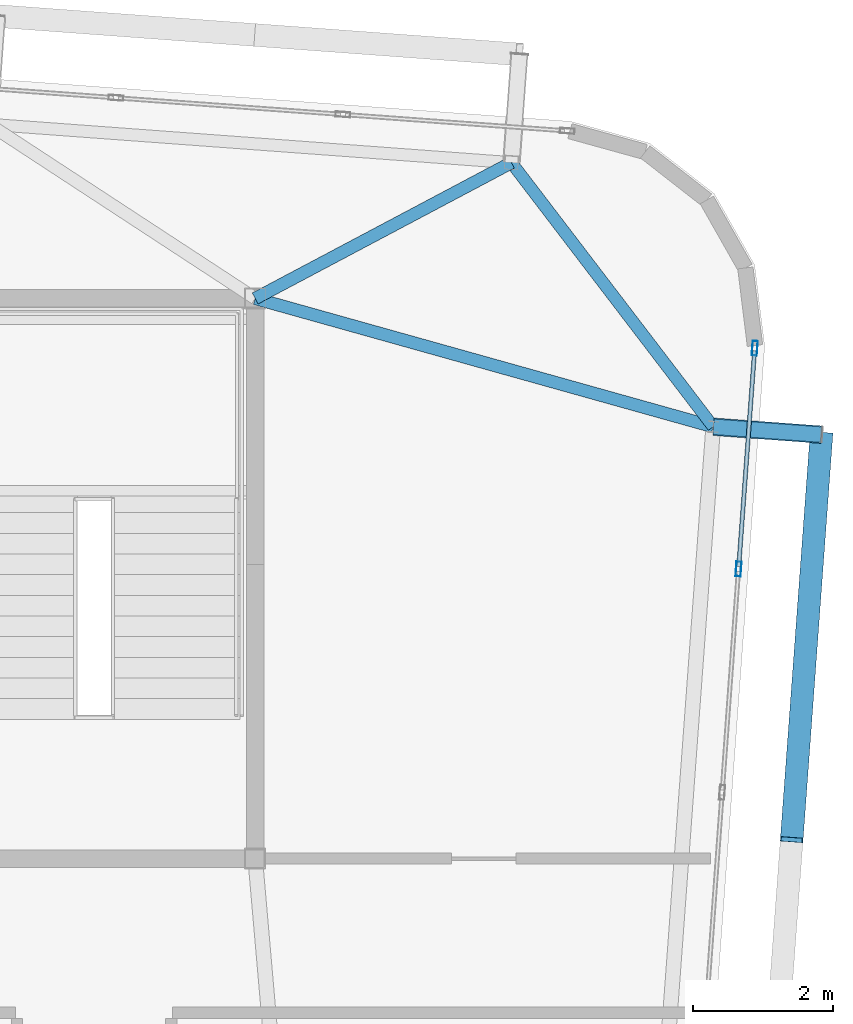
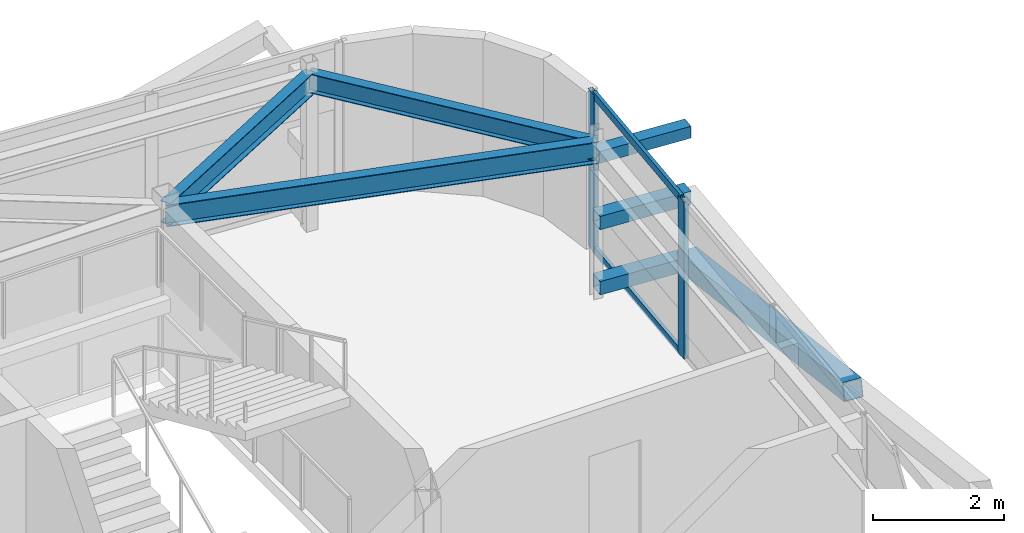
# One storey, part 25 of 42: 8 members, 3 beams, 1 element without a shape of its own.
"""IFC4 building model written with IfcOpenShell, lengths in metres."""

from ifc_helpers import new_model, si_unit, direction, frame, origin, origin_2d, place, context, subcontext, project, spatial, hollow_rectangle, i_section, extrude, source, transform, mapped, material, layer, layer_set, material_profile, profile_set, type_object, element, aggregate, save


model = new_model("IFC4")

# Units and contexts
model_context = context("Model", 3, precision=1e-05, world=origin(), true_north=direction((0.0, 1.0)))
body_context = subcontext(model_context, "Body", "Model", "MODEL_VIEW")
ifc_project = project(units=[si_unit("LENGTHUNIT", "METRE"), si_unit("AREAUNIT", "SQUARE_METRE"), si_unit("VOLUMEUNIT", "CUBIC_METRE"), si_unit("PLANEANGLEUNIT", "RADIAN"), si_unit("MASSUNIT", "GRAM", prefix="KILO")], contexts=[model_context])

# Site, building, storey
site_placement = place(None, origin())
site = spatial("IfcSite", under=ifc_project, at=site_placement, CompositionType="ELEMENT")
building_placement = place(site_placement, origin())
building = spatial("IfcBuilding", under=site, at=building_placement, Name="Taldren Reach Tower", CompositionType="ELEMENT")
storey_placement = place(building_placement, frame((0.0, 0.0, 224.0)))
storey = spatial("IfcBuildingStorey", under=building, at=storey_placement, Name="L68", CompositionType="ELEMENT", Elevation=224.0)

# Beams
ifc_material_1 = material(Name="Steel Gr 350 (350PLUS)", Category="steel")
ifc_material_profile_1 = material_profile(ifc_material_1, i_section(OverallWidth=0.172119140625, OverallDepth=0.35888671875, WebThickness=0.008056640625, FlangeThickness=0.012939453125, at=origin_2d()), Name="360UB56.7")
ifc_profile_set_1 = profile_set([ifc_material_profile_1], Name="Steel Gr 350 (350PLUS)")
beam_type_1 = type_object("IfcBeamType", Name="SP-UB360", PredefinedType="SPANDREL", material=ifc_profile_set_1)
shared_shape_1 = source(origin(), body_context, "Body", "SweptSolid", [
    extrude(i_section(OverallWidth=0.172119140625, OverallDepth=0.35888671875, WebThickness=0.008056640625, FlangeThickness=0.012939453125, at=origin_2d()), origin(), (0.0, 0.0, 1.0), 4.745849609375),
])
beam_1_placement = place(storey_placement, frame((57.540771484375, 30.168701171875, 2.75048828125), z_axis=(-0.607136906115, 0.79459724215, 0.0), x_axis=(-0.79459724215, -0.607136906115, 0.0)))
element("IfcBeam", 1, at=beam_1_placement, inside=storey, type_object=beam_type_1, Name="Perimeter spandrel B5 E3-N6 L68", PredefinedType="SPANDREL", context=body_context, shape_type="MappedRepresentation", body=[
    mapped(shared_shape_1, transform((0.0, 0.0, 0.0), scale=1.0)),
])
ifc_material_profile_2 = material_profile(ifc_material_1, i_section(OverallWidth=0.177978515625, OverallDepth=0.406005859375, WebThickness=0.0078125, FlangeThickness=0.0126953125, at=origin_2d()), Name="410UB59.7")
ifc_profile_set_2 = profile_set([ifc_material_profile_2], Name="Steel Gr 350 (350PLUS)")
beam_type_2 = type_object("IfcBeamType", Name="BM-UB410", PredefinedType="BEAM", material=ifc_profile_set_2)
shared_shape_2 = source(origin(), body_context, "Body", "SweptSolid", [
    extrude(i_section(OverallWidth=0.177978515625, OverallDepth=0.406005859375, WebThickness=0.0078125, FlangeThickness=0.0126953125, at=origin_2d()), origin(), (0.0, 0.0, 1.0), 6.792236328125),
])
beam_2_placement = place(storey_placement, frame((51.0, 32.0, 2.72705078125), z_axis=(0.962968499215, -0.269613926789, 0.0), x_axis=(0.269613926789, 0.962968499215, 0.0)))
element("IfcBeam", 2, at=beam_2_placement, inside=storey, type_object=beam_type_2, Name="Primary floor girder B5-E3 L68", PredefinedType="BEAM", context=body_context, shape_type="MappedRepresentation", body=[
    mapped(shared_shape_2, transform((0.0, 0.0, 0.0), scale=1.0)),
])
shared_shape_3 = source(origin(), body_context, "Body", "SweptSolid", [
    extrude(i_section(OverallWidth=0.177978515625, OverallDepth=0.406005859375, WebThickness=0.0078125, FlangeThickness=0.0126953125, at=origin_2d()), origin(), (0.0, 0.0, 1.0), 4.1416015625),
])
beam_3_placement = place(storey_placement, frame((51.0, 32.0, 2.72705078125), z_axis=(0.883552655042, 0.468331832965, 0.0), x_axis=(-0.468331832965, 0.883552655042, 0.0)))
element("IfcBeam", 3, at=beam_3_placement, inside=storey, type_object=beam_type_2, Name="Primary floor girder B5-N6 L68", PredefinedType="BEAM", context=body_context, shape_type="MappedRepresentation", body=[
    mapped(shared_shape_3, transform((0.0, 0.0, 0.0), scale=1.0)),
])

# Members
ifc_material_2 = material(Name="Steel Gr 450 (C450L0)", Category="steel")
ifc_material_profile_3 = material_profile(ifc_material_2, hollow_rectangle(XDim=0.219970703125, YDim=0.219970703125, WallThickness=0.00830078125, at=origin_2d()), Name="220x220x8.2SHS")
ifc_profile_set_3 = profile_set([ifc_material_profile_3], Name="Steel Gr 450 (C450L0)")
member_type_1 = type_object("IfcMemberType", Name="MB-TIE219", PredefinedType="STRUT", material=ifc_profile_set_3)
shared_shape_4 = source(origin(), body_context, "Body", "SweptSolid", [
    extrude(hollow_rectangle(XDim=0.219970703125, YDim=0.219970703125, WallThickness=0.00830078125, at=origin_2d()), origin(), (0.0, 0.0, 1.0), 1.5458984375),
])
member_1_placement = place(storey_placement, frame((57.544921875, 30.168212890625, 2.64990234375), z_axis=(0.99732305975, -0.073121231459, 0.0), x_axis=(0.073121231459, 0.99732305975, 0.0)))
element("IfcMember", 4, at=member_1_placement, inside=storey, type_object=member_type_1, Name="Exoskeleton diaphragm tie strut B5-E3 L68", PredefinedType="STRUT", context=body_context, shape_type="MappedRepresentation", body=[
    mapped(shared_shape_4, transform((0.0, 0.0, 0.0), scale=1.0)),
])
ifc_material_profile_4 = material_profile(ifc_material_2, hollow_rectangle(XDim=0.324951171875, YDim=0.324951171875, WallThickness=0.0126953125, at=origin_2d()), Name="325x325x12.7SHS")
ifc_profile_set_4 = profile_set([ifc_material_profile_4], Name="Steel Gr 450 (C450L0)")
member_type_2 = type_object("IfcMemberType", Name="MB-BR324", PredefinedType="BRACE", material=ifc_profile_set_4)
shared_shape_5 = source(origin(), body_context, "Body", "SweptSolid", [
    extrude(hollow_rectangle(XDim=0.324951171875, YDim=0.324951171875, WallThickness=0.0126953125, at=origin_2d()), origin(), (0.0, 0.0, 1.0), 5.926025390625),
])
member_2_placement = place(storey_placement, frame((59.086669921875, 30.05517578125, 0.219970703125), z_axis=(-0.071685935393, -0.976123486939, 0.205046494513), x_axis=(0.997314185625, -0.073242167855, 0.0)))
element("IfcMember", 5, at=member_2_placement, inside=storey, type_object=member_type_2, Name="Exoskeleton Diagrid Brace B5-E2 L68", PredefinedType="BRACE", context=body_context, shape_type="MappedRepresentation", body=[
    mapped(shared_shape_5, transform((0.0, 0.0, 0.0), scale=1.0)),
])
ifc_material_3 = material(Name="Steel Gr 350 (C350L0)", Category="steel")
ifc_material_profile_5 = material_profile(ifc_material_3, hollow_rectangle(XDim=0.25, YDim=0.25, WallThickness=0.010009765625, at=origin_2d()), Name="250x250x10.0SHS")
ifc_profile_set_5 = profile_set([ifc_material_profile_5], Name="Steel Gr 350 (C350L0)")
member_type_3 = type_object("IfcMemberType", Name="MB-POST250", PredefinedType="POST", material=ifc_profile_set_5)
shared_shape_6 = source(origin(), body_context, "Body", "SweptSolid", [
    extrude(hollow_rectangle(XDim=0.25, YDim=0.25, WallThickness=0.010009765625, at=origin_2d()), origin(), (0.0, 0.0, 1.0), 1.5458984375),
])
for number, where, z_axis, x_axis, name in (
    (6, (57.544921875, 30.168212890625, 0.219970703125), (0.99732305975, -0.073121231459, 0.0), (0.073121231459, 0.99732305975, 0.0), "Exoskeleton base diaphragm tie strut B5-E3 L68"),
    (7, (57.544921875, 30.168212890625, 1.43505859375), (0.99732305975, -0.073121231459, 0.0), (0.073121231459, 0.99732305975, 0.0), "Exoskeleton mid-tier diaphragm tie B5-E3 L68"),
):
    element("IfcMember", number, at=place(storey_placement, frame(where, z_axis=z_axis, x_axis=x_axis)), inside=storey, type_object=member_type_3, Name=name, PredefinedType="POST", context=body_context, shape_type="MappedRepresentation", body=[
        mapped(shared_shape_6, transform((0.0, 0.0, 0.0), scale=1.0)),
    ])

# Curtain wall, members
ifc_material_4 = material(Name="Aluminium and Low-E Glass Unitised System", Category="aluminium")
ifc_layer = layer(ifc_material_4, 0.159912109375)
ifc_layer_set = layer_set([ifc_layer], Name="Aluminium and Low-E Glass Unitised System")
curtain_wall_type = type_object("IfcCurtainWallType", Name="CW-SYS-6", PredefinedType="NOTDEFINED", material=ifc_layer_set)
curtain_wall_placement = place(storey_placement, origin())
curtain_wall = element("IfcCurtainWall", 8, at=curtain_wall_placement, inside=storey, type_object=curtain_wall_type, Name="Unitised curtain wall CW-L68-E", PredefinedType="NOTDEFINED")
ifc_material_5 = material(Name="Anodised Aluminium 6063-T6", Category="aluminium")
ifc_material_profile_6 = material_profile(ifc_material_5, hollow_rectangle(XDim=0.074951171875, YDim=0.2099609375, WallThickness=0.00439453125, at=origin_2d()), Name="ALU-210x75x4.5RHS")
ifc_profile_set_6 = profile_set([ifc_material_profile_6], Name="Anodised Aluminium 6063-T6")
member_type_4 = type_object("IfcMemberType", Name="CW-MUL-200", PredefinedType="MULLION", material=ifc_profile_set_6)
shared_shape_7 = source(origin(), body_context, "Body", "SweptSolid", [
    extrude(hollow_rectangle(XDim=0.074951171875, YDim=0.2099609375, WallThickness=0.00439453125, at=origin_2d()), origin(), (0.0, 0.0, 1.0), 2.929931640625),
])
member_3_placement = place(storey_placement, frame((57.903076171875, 28.13671875, 0.0), z_axis=(0.0, 0.0, 1.0), x_axis=(-0.997314470951, 0.073238282558, 0.0)))
member_3 = element("IfcMember", 9, at=member_3_placement, type_object=member_type_4, Name="CW-6 mullion 8", PredefinedType="MULLION", context=body_context, shape_type="MappedRepresentation", body=[
    mapped(shared_shape_7, transform((0.0, 0.0, 0.0), scale=1.0)),
])
member_4_placement = place(storey_placement, frame((58.134765625, 31.29052734375, 0.0), z_axis=(0.0, 0.0, 1.0), x_axis=(-0.997314470951, 0.073238282558, 0.0)))
member_4 = element("IfcMember", 10, at=member_4_placement, type_object=member_type_4, Name="CW-6 mullion 9", PredefinedType="MULLION", context=body_context, shape_type="MappedRepresentation", body=[
    mapped(shared_shape_7, transform((0.0, 0.0, 0.0), scale=1.0)),
])
ifc_material_profile_7 = material_profile(ifc_material_5, hollow_rectangle(XDim=0.06005859375, YDim=0.135009765625, WallThickness=0.00341796875, at=origin_2d()), Name="ALU-135x60x3.5RHS")
ifc_profile_set_7 = profile_set([ifc_material_profile_7], Name="Anodised Aluminium 6063-T6")
member_type_5 = type_object("IfcMemberType", Name="CW-TRN-150", PredefinedType="USERDEFINED", material=ifc_profile_set_7)
shared_shape_8 = source(origin(), body_context, "Body", "SweptSolid", [
    extrude(hollow_rectangle(XDim=0.06005859375, YDim=0.135009765625, WallThickness=0.00341796875, at=origin_2d()), origin(), (0.0, 0.0, 1.0), 3.08740234375),
])
member_5_placement = place(storey_placement, frame((57.90576171875, 28.174072265625, 0.030029296875), z_axis=(0.073225031802, 0.997315443938, 0.0), x_axis=(-0.997315443938, 0.073225031802, 0.0)))
member_5 = element("IfcMember", 11, at=member_5_placement, type_object=member_type_5, Name="CW-6 transom 8.1", ObjectType="TRANSOM", PredefinedType="USERDEFINED", context=body_context, shape_type="MappedRepresentation", body=[
    mapped(shared_shape_8, transform((0.0, 0.0, 0.0), scale=1.0)),
])
member_6_placement = place(storey_placement, frame((57.90576171875, 28.174072265625, 2.89990234375), z_axis=(0.073225031802, 0.997315443938, 0.0), x_axis=(-0.997315443938, 0.073225031802, 0.0)))
member_6 = element("IfcMember", 12, at=member_6_placement, type_object=member_type_5, Name="CW-6 transom 8.2", ObjectType="TRANSOM", PredefinedType="USERDEFINED", context=body_context, shape_type="MappedRepresentation", body=[
    mapped(shared_shape_8, transform((0.0, 0.0, 0.0), scale=1.0)),
])
aggregate(curtain_wall, [member_3, member_4, member_5, member_6])

save(model, "model.ifc")
